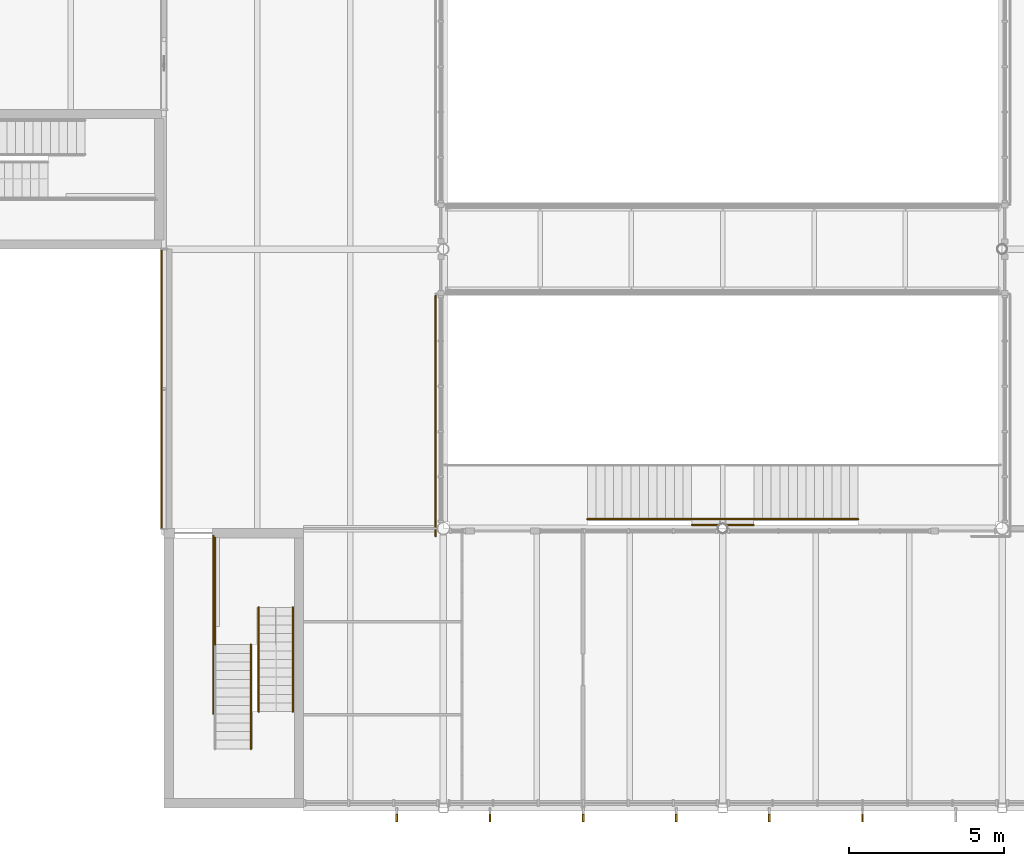
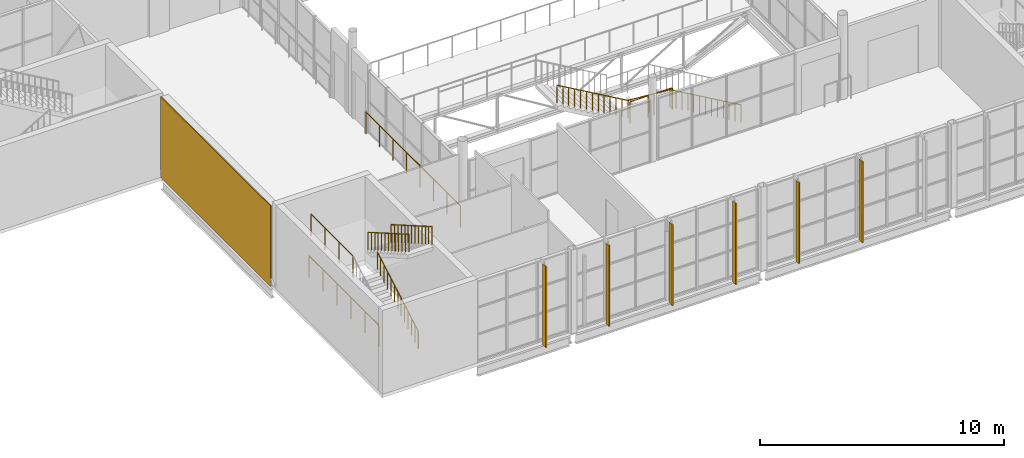
# One storey, part 56 of 61: 9 railings, 6 shading devices, 1 covering.
"""IFC4 building model written with IfcOpenShell, lengths in metres."""

from ifc_helpers import new_model, si_unit, direction, frame, frame_2d, origin, origin_2d, place, context, subcontext, project, spatial, rectangle, circle, extrude, material, layer, layer_set, type_object, element, save


model = new_model("IFC4")

# Units and contexts
model_context = context("Model", 3, precision=1e-05, world=origin(), true_north=direction((0.0, 1.0)))
body_context = subcontext(model_context, "Body", "Model", "MODEL_VIEW")
ifc_project = project(units=[si_unit("LENGTHUNIT", "METRE"), si_unit("AREAUNIT", "SQUARE_METRE"), si_unit("VOLUMEUNIT", "CUBIC_METRE"), si_unit("PLANEANGLEUNIT", "RADIAN"), si_unit("MASSUNIT", "GRAM", prefix="KILO")], contexts=[model_context])

# Site, building, storey
site_placement = place(None, origin())
site = spatial("IfcSite", under=ifc_project, at=site_placement, CompositionType="ELEMENT")
building_placement = place(site_placement, origin())
building = spatial("IfcBuilding", under=site, at=building_placement, Name="Halyard Row Museum", CompositionType="ELEMENT")
storey_placement = place(building_placement, frame((0.0, 0.0, 9.199951171875)))
storey = spatial("IfcBuildingStorey", under=building, at=storey_placement, Name="L02", CompositionType="ELEMENT", Elevation=9.199951171875)

# Railings
ifc_material_1 = material(Name="Steel Grade 300", Category="steel")
railing_type_1 = type_object("IfcRailingType", Name="Guard GR2 steel balustrade 1100", PredefinedType="GUARDRAIL", material=ifc_material_1)
railing_1_placement = place(storey_placement, frame((73.64990234375, 5.260009765625, 2.10009765625)))
element("IfcRailing", 1, at=railing_1_placement, inside=storey, type_object=railing_type_1, Name="Guard GR044", PredefinedType="GUARDRAIL", context=body_context, shape_type="SweptSolid", body=[
    extrude(circle(Radius=0.02392578125, at=origin_2d()), frame((0.0, 0.0, 1.076171875), z_axis=(0.0, 1.0, 0.0), x_axis=(-1.0, 0.0, 0.0)), (0.0, 0.0, 1.0), 3.43994140625),
    extrude(circle(Radius=0.02099609375, at=origin_2d()), origin(), (0.0, 0.0, 1.0), 1.052001953125),
    extrude(circle(Radius=0.02099609375, at=origin_2d()), frame((0.0, 1.146728515625, 0.0)), (0.0, 0.0, 1.0), 1.052001953125),
    extrude(circle(Radius=0.02099609375, at=origin_2d()), frame((0.0, 2.293212890625, 0.0)), (0.0, 0.0, 1.0), 1.052001953125),
    extrude(circle(Radius=0.02099609375, at=origin_2d()), frame((0.0, 3.43994140625, 0.0)), (0.0, 0.0, 1.0), 1.052001953125),
])
for number, where, name in (
    (2, (91.0, 9.1201171875, 2.10009765625), "Guard GR135"),
    (3, (89.861328125, 9.1201171875, 2.10009765625), "Guard GR136"),
):
    element("IfcRailing", number, at=place(storey_placement, frame(where)), inside=storey, type_object=railing_type_1, Name=name, PredefinedType="GUARDRAIL", context=body_context, shape_type="SweptSolid", body=[
        extrude(circle(Radius=0.02392578125, at=origin_2d()), frame((0.0, 0.0, 1.076171875), z_axis=(-1.0, 0.0, 0.0), x_axis=(0.0, -1.0, 0.0)), (0.0, 0.0, 1.0), 0.861328125),
        extrude(circle(Radius=0.02099609375, at=origin_2d()), origin(), (0.0, 0.0, 1.0), 1.052001953125),
        extrude(circle(Radius=0.02099609375, at=origin_2d()), frame((-0.861328125, 0.0, 0.0)), (0.0, 0.0, 1.0), 1.052001953125),
    ])
railing_2_placement = place(storey_placement, frame((73.590087890625, 3.0400390625, 0.0)))
element("IfcRailing", 4, at=railing_2_placement, inside=storey, type_object=railing_type_1, Name="Guard GR157", PredefinedType="GUARDRAIL", context=body_context, shape_type="SweptSolid", body=[
    extrude(circle(Radius=0.02392578125, at=origin_2d()), frame((0.0, 0.0, 1.076171875), z_axis=(0.0, 1.0, 0.0), x_axis=(-1.0, 0.0, 0.0)), (0.0, 0.0, 1.0), 5.719970703125),
    extrude(circle(Radius=0.02099609375, at=origin_2d()), origin(), (0.0, 0.0, 1.0), 1.052001953125),
    extrude(circle(Radius=0.02099609375, at=origin_2d()), frame((0.0, 1.14404296875, 0.0)), (0.0, 0.0, 1.0), 1.052001953125),
    extrude(circle(Radius=0.02099609375, at=origin_2d()), frame((0.0, 2.2880859375, 0.0)), (0.0, 0.0, 1.0), 1.052001953125),
    extrude(circle(Radius=0.02099609375, at=origin_2d()), frame((0.0, 3.431884765625, 0.0)), (0.0, 0.0, 1.0), 1.052001953125),
    extrude(circle(Radius=0.02099609375, at=origin_2d()), frame((0.0, 4.575927734375, 0.0)), (0.0, 0.0, 1.0), 1.052001953125),
    extrude(circle(Radius=0.02099609375, at=origin_2d()), frame((0.0, 5.719970703125, 0.0)), (0.0, 0.0, 1.0), 1.052001953125),
])
railing_3_placement = place(storey_placement, frame((80.75, 8.75, 0.0)))
element("IfcRailing", 5, at=railing_3_placement, inside=storey, type_object=railing_type_1, Name="Guard GR200", PredefinedType="GUARDRAIL", context=body_context, shape_type="SweptSolid", body=[
    extrude(circle(Radius=0.02392578125, at=origin_2d()), frame((0.0, 0.0, 1.076171875), z_axis=(0.0, 1.0, 0.0), x_axis=(-1.0, 0.0, 0.0)), (0.0, 0.0, 1.0), 7.75),
    extrude(circle(Radius=0.02099609375, at=origin_2d()), origin(), (0.0, 0.0, 1.0), 1.052001953125),
    extrude(circle(Radius=0.02099609375, at=origin_2d()), frame((0.0, 1.107177734375, 0.0)), (0.0, 0.0, 1.0), 1.052001953125),
    extrude(circle(Radius=0.02099609375, at=origin_2d()), frame((0.0, 2.21435546875, 0.0)), (0.0, 0.0, 1.0), 1.052001953125),
    extrude(circle(Radius=0.02099609375, at=origin_2d()), frame((0.0, 3.321533203125, 0.0)), (0.0, 0.0, 1.0), 1.052001953125),
    extrude(circle(Radius=0.02099609375, at=origin_2d()), frame((0.0, 4.428466796875, 0.0)), (0.0, 0.0, 1.0), 1.052001953125),
    extrude(circle(Radius=0.02099609375, at=origin_2d()), frame((0.0, 5.53564453125, 0.0)), (0.0, 0.0, 1.0), 1.052001953125),
    extrude(circle(Radius=0.02099609375, at=origin_2d()), frame((0.0, 6.642822265625, 0.0)), (0.0, 0.0, 1.0), 1.052001953125),
    extrude(circle(Radius=0.02099609375, at=origin_2d()), frame((0.0, 7.75, 0.0)), (0.0, 0.0, 1.0), 1.052001953125),
])
ifc_material_2 = material(Name="Steel Grade 300", Category="steel")
railing_type_2 = type_object("IfcRailingType", Name="Handrail HR2 steel 900", PredefinedType="HANDRAIL", material=ifc_material_2)
railing_4_placement = place(storey_placement, frame((74.800048828125, 1.89990234375, 0.16162109375)))
element("IfcRailing", 6, at=railing_4_placement, inside=storey, type_object=railing_type_2, Name="Handrail HR064", PredefinedType="HANDRAIL", context=body_context, shape_type="SweptSolid", body=[
    extrude(circle(Radius=0.02392578125, at=origin_2d()), frame((0.0, 0.0, 0.8759765625), z_axis=(0.0, 0.86609757561, 0.499874973892), x_axis=(-1.0, 0.0, 0.0)), (0.0, 0.0, 1.0), 0.3232421875),
    extrude(circle(Radius=0.02392578125, at=origin_2d()), frame((0.0, 0.280029296875, 1.03759765625), z_axis=(0.0, 0.866424426198, 0.49930823515), x_axis=(-1.0, 0.0, 0.0)), (0.0, 0.0, 1.0), 0.3232421875),
    extrude(circle(Radius=0.02392578125, at=origin_2d()), frame((0.0, 0.56005859375, 1.19873046875), z_axis=(0.0, 0.86609757561, 0.499874973892), x_axis=(-1.0, 0.0, 0.0)), (0.0, 0.0, 1.0), 0.3232421875),
    extrude(circle(Radius=0.02392578125, at=origin_2d()), frame((0.0, 0.840087890625, 1.3603515625), z_axis=(0.0, 0.86609757561, 0.499874973892), x_axis=(-1.0, 0.0, 0.0)), (0.0, 0.0, 1.0), 0.3232421875),
    extrude(circle(Radius=0.02392578125, at=origin_2d()), frame((0.0, 1.1201171875, 1.52197265625), z_axis=(0.0, 0.866424426198, 0.49930823515), x_axis=(-1.0, 0.0, 0.0)), (0.0, 0.0, 1.0), 0.3232421875),
    extrude(circle(Radius=0.02392578125, at=origin_2d()), frame((0.0, 1.400146484375, 1.68359375), z_axis=(0.0, 0.86609757561, 0.499874973892), x_axis=(-1.0, 0.0, 0.0)), (0.0, 0.0, 1.0), 0.3232421875),
    extrude(circle(Radius=0.02392578125, at=origin_2d()), frame((0.0, 1.68017578125, 1.84521484375), z_axis=(0.0, 0.866424426198, 0.49930823515), x_axis=(-1.0, 0.0, 0.0)), (0.0, 0.0, 1.0), 0.3232421875),
    extrude(circle(Radius=0.02392578125, at=origin_2d()), frame((0.0, 1.960205078125, 2.00634765625), z_axis=(0.0, 0.865908710228, 0.500202064721), x_axis=(-1.0, 0.0, 0.0)), (0.0, 0.0, 1.0), 0.322998046875),
    extrude(circle(Radius=0.02392578125, at=origin_2d()), frame((0.0, 2.239990234375, 2.16796875), z_axis=(0.0, 0.86609757561, 0.499874973892), x_axis=(-1.0, 0.0, 0.0)), (0.0, 0.0, 1.0), 0.3232421875),
    extrude(circle(Radius=0.02392578125, at=origin_2d()), frame((0.0, 2.52001953125, 2.32958984375), z_axis=(0.0, 0.866424426198, 0.49930823515), x_axis=(-1.0, 0.0, 0.0)), (0.0, 0.0, 1.0), 0.3232421875),
    extrude(circle(Radius=0.02392578125, at=origin_2d()), frame((0.0, 2.800048828125, 2.4912109375), z_axis=(0.0, 0.86609757561, 0.499874973892), x_axis=(-1.0, 0.0, 0.0)), (0.0, 0.0, 1.0), 0.3232421875),
    extrude(circle(Radius=0.02392578125, at=origin_2d()), frame((0.0, 3.080078125, 2.65283203125), z_axis=(0.0, 0.86609757561, 0.499874973892), x_axis=(-1.0, 0.0, 0.0)), (0.0, 0.0, 1.0), 0.3232421875),
    extrude(circle(Radius=0.02099609375, at=origin_2d()), origin(), (0.0, 0.0, 1.0), 0.851806640625),
    extrude(circle(Radius=0.02099609375, at=origin_2d()), frame((0.0, 0.280029296875, 0.16162109375)), (0.0, 0.0, 1.0), 0.851806640625),
    extrude(circle(Radius=0.02099609375, at=origin_2d()), frame((0.0, 0.56005859375, 0.322998046875)), (0.0, 0.0, 1.0), 0.851806640625),
    extrude(circle(Radius=0.02099609375, at=origin_2d()), frame((0.0, 0.840087890625, 0.484619140625)), (0.0, 0.0, 1.0), 0.851806640625),
    extrude(circle(Radius=0.02099609375, at=origin_2d()), frame((0.0, 1.1201171875, 0.646240234375)), (0.0, 0.0, 1.0), 0.851806640625),
    extrude(circle(Radius=0.02099609375, at=origin_2d()), frame((0.0, 1.400146484375, 0.8076171875)), (0.0, 0.0, 1.0), 0.851806640625),
    extrude(circle(Radius=0.02099609375, at=origin_2d()), frame((0.0, 1.68017578125, 0.96923828125)), (0.0, 0.0, 1.0), 0.851806640625),
    extrude(circle(Radius=0.02099609375, at=origin_2d()), frame((0.0, 1.960205078125, 1.130615234375)), (0.0, 0.0, 1.0), 0.851806640625),
    extrude(circle(Radius=0.02099609375, at=origin_2d()), frame((0.0, 2.239990234375, 1.292236328125)), (0.0, 0.0, 1.0), 0.851806640625),
    extrude(circle(Radius=0.02099609375, at=origin_2d()), frame((0.0, 2.52001953125, 1.453857421875)), (0.0, 0.0, 1.0), 0.851806640625),
    extrude(circle(Radius=0.02099609375, at=origin_2d()), frame((0.0, 2.800048828125, 1.615234375)), (0.0, 0.0, 1.0), 0.851806640625),
    extrude(circle(Radius=0.02099609375, at=origin_2d()), frame((0.0, 3.080078125, 1.77685546875)), (0.0, 0.0, 1.0), 0.851806640625),
    extrude(circle(Radius=0.02099609375, at=origin_2d()), frame((0.0, 3.360107421875, 1.9384765625)), (0.0, 0.0, 1.0), 0.851806640625),
])
railing_5_placement = place(storey_placement, frame((76.14990234375, 6.4599609375, 2.261474609375)))
element("IfcRailing", 7, at=railing_5_placement, inside=storey, type_object=railing_type_2, Name="Handrail HR065", PredefinedType="HANDRAIL", context=body_context, shape_type="SweptSolid", body=[
    extrude(circle(Radius=0.02392578125, at=origin_2d()), frame((0.0, 0.0, 0.8759765625), z_axis=(0.0, -0.86609757561, 0.499874973892), x_axis=(1.0, 0.0, 0.0)), (0.0, 0.0, 1.0), 0.3232421875),
    extrude(circle(Radius=0.02392578125, at=origin_2d()), frame((0.0, -0.280029296875, 1.03759765625), z_axis=(0.0, -0.86609757561, 0.499874973892), x_axis=(1.0, 0.0, 0.0)), (0.0, 0.0, 1.0), 0.3232421875),
    extrude(circle(Radius=0.02392578125, at=origin_2d()), frame((0.0, -0.56005859375, 1.19921875), z_axis=(0.0, -0.866235917577, 0.499635202023), x_axis=(1.0, 0.0, 0.0)), (0.0, 0.0, 1.0), 0.322998046875),
    extrude(circle(Radius=0.02392578125, at=origin_2d()), frame((0.0, -0.83984375, 1.3603515625), z_axis=(0.0, -0.86609757561, 0.499874973892), x_axis=(1.0, 0.0, 0.0)), (0.0, 0.0, 1.0), 0.3232421875),
    extrude(circle(Radius=0.02392578125, at=origin_2d()), frame((0.0, -1.119873046875, 1.52197265625), z_axis=(0.0, -0.86609757561, 0.499874973892), x_axis=(1.0, 0.0, 0.0)), (0.0, 0.0, 1.0), 0.3232421875),
    extrude(circle(Radius=0.02392578125, at=origin_2d()), frame((0.0, -1.39990234375, 1.68359375), z_axis=(0.0, -0.866424426198, 0.49930823515), x_axis=(1.0, 0.0, 0.0)), (0.0, 0.0, 1.0), 0.3232421875),
    extrude(circle(Radius=0.02392578125, at=origin_2d()), frame((0.0, -1.679931640625, 1.84521484375), z_axis=(0.0, -0.86609757561, 0.499874973892), x_axis=(1.0, 0.0, 0.0)), (0.0, 0.0, 1.0), 0.3232421875),
    extrude(circle(Radius=0.02392578125, at=origin_2d()), frame((0.0, -1.9599609375, 2.0068359375), z_axis=(0.0, -0.86609757561, 0.499874973892), x_axis=(1.0, 0.0, 0.0)), (0.0, 0.0, 1.0), 0.3232421875),
    extrude(circle(Radius=0.02392578125, at=origin_2d()), frame((0.0, -2.239990234375, 2.16845703125), z_axis=(0.0, -0.866424426198, 0.49930823515), x_axis=(1.0, 0.0, 0.0)), (0.0, 0.0, 1.0), 0.3232421875),
    extrude(circle(Radius=0.02392578125, at=origin_2d()), frame((0.0, -2.52001953125, 2.32958984375), z_axis=(0.0, -0.86609757561, 0.499874973892), x_axis=(1.0, 0.0, 0.0)), (0.0, 0.0, 1.0), 0.3232421875),
    extrude(circle(Radius=0.02392578125, at=origin_2d()), frame((0.0, -2.800048828125, 2.4912109375), z_axis=(0.0, -0.86609757561, 0.499874973892), x_axis=(1.0, 0.0, 0.0)), (0.0, 0.0, 1.0), 0.3232421875),
    extrude(circle(Radius=0.02392578125, at=origin_2d()), frame((0.0, -3.080078125, 2.65283203125), z_axis=(0.0, -0.866235917577, 0.499635202023), x_axis=(1.0, 0.0, 0.0)), (0.0, 0.0, 1.0), 0.322998046875),
    extrude(circle(Radius=0.02099609375, at=origin_2d()), origin(), (0.0, 0.0, 1.0), 0.851806640625),
    extrude(circle(Radius=0.02099609375, at=origin_2d()), frame((0.0, -0.280029296875, 0.16162109375)), (0.0, 0.0, 1.0), 0.851806640625),
    extrude(circle(Radius=0.02099609375, at=origin_2d()), frame((0.0, -0.56005859375, 0.3232421875)), (0.0, 0.0, 1.0), 0.851806640625),
    extrude(circle(Radius=0.02099609375, at=origin_2d()), frame((0.0, -0.83984375, 0.484619140625)), (0.0, 0.0, 1.0), 0.851806640625),
    extrude(circle(Radius=0.02099609375, at=origin_2d()), frame((0.0, -1.119873046875, 0.646240234375)), (0.0, 0.0, 1.0), 0.851806640625),
    extrude(circle(Radius=0.02099609375, at=origin_2d()), frame((0.0, -1.39990234375, 0.807861328125)), (0.0, 0.0, 1.0), 0.851806640625),
    extrude(circle(Radius=0.02099609375, at=origin_2d()), frame((0.0, -1.679931640625, 0.96923828125)), (0.0, 0.0, 1.0), 0.851806640625),
    extrude(circle(Radius=0.02099609375, at=origin_2d()), frame((0.0, -1.9599609375, 1.130859375)), (0.0, 0.0, 1.0), 0.851806640625),
    extrude(circle(Radius=0.02099609375, at=origin_2d()), frame((0.0, -2.239990234375, 1.29248046875)), (0.0, 0.0, 1.0), 0.851806640625),
    extrude(circle(Radius=0.02099609375, at=origin_2d()), frame((0.0, -2.52001953125, 1.453857421875)), (0.0, 0.0, 1.0), 0.851806640625),
    extrude(circle(Radius=0.02099609375, at=origin_2d()), frame((0.0, -2.800048828125, 1.615478515625)), (0.0, 0.0, 1.0), 0.851806640625),
    extrude(circle(Radius=0.02099609375, at=origin_2d()), frame((0.0, -3.080078125, 1.777099609375)), (0.0, 0.0, 1.0), 0.851806640625),
    extrude(circle(Radius=0.02099609375, at=origin_2d()), frame((0.0, -3.35986328125, 1.9384765625)), (0.0, 0.0, 1.0), 0.851806640625),
])
railing_6_placement = place(storey_placement, frame((75.050048828125, 6.4599609375, 2.261474609375)))
element("IfcRailing", 8, at=railing_6_placement, inside=storey, type_object=railing_type_2, Name="Handrail HR066", PredefinedType="HANDRAIL", context=body_context, shape_type="SweptSolid", body=[
    extrude(circle(Radius=0.02392578125, at=origin_2d()), frame((0.0, 0.0, 0.8759765625), z_axis=(0.0, -0.86609757561, 0.499874973892), x_axis=(1.0, 0.0, 0.0)), (0.0, 0.0, 1.0), 0.3232421875),
    extrude(circle(Radius=0.02392578125, at=origin_2d()), frame((0.0, -0.280029296875, 1.03759765625), z_axis=(0.0, -0.86609757561, 0.499874973892), x_axis=(1.0, 0.0, 0.0)), (0.0, 0.0, 1.0), 0.3232421875),
    extrude(circle(Radius=0.02392578125, at=origin_2d()), frame((0.0, -0.56005859375, 1.19921875), z_axis=(0.0, -0.866235917577, 0.499635202023), x_axis=(1.0, 0.0, 0.0)), (0.0, 0.0, 1.0), 0.322998046875),
    extrude(circle(Radius=0.02392578125, at=origin_2d()), frame((0.0, -0.83984375, 1.3603515625), z_axis=(0.0, -0.86609757561, 0.499874973892), x_axis=(1.0, 0.0, 0.0)), (0.0, 0.0, 1.0), 0.3232421875),
    extrude(circle(Radius=0.02392578125, at=origin_2d()), frame((0.0, -1.119873046875, 1.52197265625), z_axis=(0.0, -0.86609757561, 0.499874973892), x_axis=(1.0, 0.0, 0.0)), (0.0, 0.0, 1.0), 0.3232421875),
    extrude(circle(Radius=0.02392578125, at=origin_2d()), frame((0.0, -1.39990234375, 1.68359375), z_axis=(0.0, -0.866424426198, 0.49930823515), x_axis=(1.0, 0.0, 0.0)), (0.0, 0.0, 1.0), 0.3232421875),
    extrude(circle(Radius=0.02392578125, at=origin_2d()), frame((0.0, -1.679931640625, 1.84521484375), z_axis=(0.0, -0.86609757561, 0.499874973892), x_axis=(1.0, 0.0, 0.0)), (0.0, 0.0, 1.0), 0.3232421875),
    extrude(circle(Radius=0.02392578125, at=origin_2d()), frame((0.0, -1.9599609375, 2.0068359375), z_axis=(0.0, -0.86609757561, 0.499874973892), x_axis=(1.0, 0.0, 0.0)), (0.0, 0.0, 1.0), 0.3232421875),
    extrude(circle(Radius=0.02392578125, at=origin_2d()), frame((0.0, -2.239990234375, 2.16845703125), z_axis=(0.0, -0.866424426198, 0.49930823515), x_axis=(1.0, 0.0, 0.0)), (0.0, 0.0, 1.0), 0.3232421875),
    extrude(circle(Radius=0.02392578125, at=origin_2d()), frame((0.0, -2.52001953125, 2.32958984375), z_axis=(0.0, -0.86609757561, 0.499874973892), x_axis=(1.0, 0.0, 0.0)), (0.0, 0.0, 1.0), 0.3232421875),
    extrude(circle(Radius=0.02392578125, at=origin_2d()), frame((0.0, -2.800048828125, 2.4912109375), z_axis=(0.0, -0.86609757561, 0.499874973892), x_axis=(1.0, 0.0, 0.0)), (0.0, 0.0, 1.0), 0.3232421875),
    extrude(circle(Radius=0.02392578125, at=origin_2d()), frame((0.0, -3.080078125, 2.65283203125), z_axis=(0.0, -0.866235917577, 0.499635202023), x_axis=(1.0, 0.0, 0.0)), (0.0, 0.0, 1.0), 0.322998046875),
    extrude(circle(Radius=0.02099609375, at=origin_2d()), origin(), (0.0, 0.0, 1.0), 0.851806640625),
    extrude(circle(Radius=0.02099609375, at=origin_2d()), frame((0.0, -0.280029296875, 0.16162109375)), (0.0, 0.0, 1.0), 0.851806640625),
    extrude(circle(Radius=0.02099609375, at=origin_2d()), frame((0.0, -0.56005859375, 0.3232421875)), (0.0, 0.0, 1.0), 0.851806640625),
    extrude(circle(Radius=0.02099609375, at=origin_2d()), frame((0.0, -0.83984375, 0.484619140625)), (0.0, 0.0, 1.0), 0.851806640625),
    extrude(circle(Radius=0.02099609375, at=origin_2d()), frame((0.0, -1.119873046875, 0.646240234375)), (0.0, 0.0, 1.0), 0.851806640625),
    extrude(circle(Radius=0.02099609375, at=origin_2d()), frame((0.0, -1.39990234375, 0.807861328125)), (0.0, 0.0, 1.0), 0.851806640625),
    extrude(circle(Radius=0.02099609375, at=origin_2d()), frame((0.0, -1.679931640625, 0.96923828125)), (0.0, 0.0, 1.0), 0.851806640625),
    extrude(circle(Radius=0.02099609375, at=origin_2d()), frame((0.0, -1.9599609375, 1.130859375)), (0.0, 0.0, 1.0), 0.851806640625),
    extrude(circle(Radius=0.02099609375, at=origin_2d()), frame((0.0, -2.239990234375, 1.29248046875)), (0.0, 0.0, 1.0), 0.851806640625),
    extrude(circle(Radius=0.02099609375, at=origin_2d()), frame((0.0, -2.52001953125, 1.453857421875)), (0.0, 0.0, 1.0), 0.851806640625),
    extrude(circle(Radius=0.02099609375, at=origin_2d()), frame((0.0, -2.800048828125, 1.615478515625)), (0.0, 0.0, 1.0), 0.851806640625),
    extrude(circle(Radius=0.02099609375, at=origin_2d()), frame((0.0, -3.080078125, 1.777099609375)), (0.0, 0.0, 1.0), 0.851806640625),
    extrude(circle(Radius=0.02099609375, at=origin_2d()), frame((0.0, -3.35986328125, 1.9384765625)), (0.0, 0.0, 1.0), 0.851806640625),
])
railing_7_placement = place(storey_placement, frame((94.360107421875, 9.300048828125, 0.16162109375)))
element("IfcRailing", 9, at=railing_7_placement, inside=storey, type_object=railing_type_2, Name="Handrail HR153", PredefinedType="HANDRAIL", context=body_context, shape_type="SweptSolid", body=[
    extrude(circle(Radius=0.02392578125, at=origin_2d()), frame((0.0, 0.0, 0.8759765625), z_axis=(-0.86609757561, 0.0, 0.499874973892), x_axis=(0.0, -1.0, 0.0)), (0.0, 0.0, 1.0), 0.3232421875),
    extrude(circle(Radius=0.02392578125, at=origin_2d()), frame((-0.280029296875, 0.0, 1.03759765625), z_axis=(-0.866424426198, 0.0, 0.49930823515), x_axis=(0.0, -1.0, 0.0)), (0.0, 0.0, 1.0), 0.3232421875),
    extrude(circle(Radius=0.02392578125, at=origin_2d()), frame((-0.56005859375, 0.0, 1.19873046875), z_axis=(-0.86609757561, 0.0, 0.499874973892), x_axis=(0.0, -1.0, 0.0)), (0.0, 0.0, 1.0), 0.3232421875),
    extrude(circle(Radius=0.02392578125, at=origin_2d()), frame((-0.840087890625, 0.0, 1.3603515625), z_axis=(-0.86609757561, 0.0, 0.499874973892), x_axis=(0.0, -1.0, 0.0)), (0.0, 0.0, 1.0), 0.3232421875),
    extrude(circle(Radius=0.02392578125, at=origin_2d()), frame((-1.1201171875, 0.0, 1.52197265625), z_axis=(-0.866424426198, 0.0, 0.49930823515), x_axis=(0.0, -1.0, 0.0)), (0.0, 0.0, 1.0), 0.3232421875),
    extrude(circle(Radius=0.02392578125, at=origin_2d()), frame((-1.400146484375, 0.0, 1.68359375), z_axis=(-0.86609757561, 0.0, 0.499874973892), x_axis=(0.0, -1.0, 0.0)), (0.0, 0.0, 1.0), 0.3232421875),
    extrude(circle(Radius=0.02392578125, at=origin_2d()), frame((-1.68017578125, 0.0, 1.84521484375), z_axis=(-0.866424426198, 0.0, 0.49930823515), x_axis=(0.0, -1.0, 0.0)), (0.0, 0.0, 1.0), 0.3232421875),
    extrude(circle(Radius=0.02392578125, at=origin_2d()), frame((-1.960205078125, 0.0, 2.00634765625), z_axis=(-0.865908710228, 0.0, 0.500202064721), x_axis=(0.0, -1.0, 0.0)), (0.0, 0.0, 1.0), 0.322998046875),
    extrude(circle(Radius=0.02392578125, at=origin_2d()), frame((-2.239990234375, 0.0, 2.16796875), z_axis=(-0.86609757561, 0.0, 0.499874973892), x_axis=(0.0, -1.0, 0.0)), (0.0, 0.0, 1.0), 0.3232421875),
    extrude(circle(Radius=0.02392578125, at=origin_2d()), frame((-2.52001953125, 0.0, 2.32958984375), z_axis=(-0.866424426198, 0.0, 0.49930823515), x_axis=(0.0, -1.0, 0.0)), (0.0, 0.0, 1.0), 0.3232421875),
    extrude(circle(Radius=0.02392578125, at=origin_2d()), frame((-2.800048828125, 0.0, 2.4912109375), z_axis=(-0.86609757561, 0.0, 0.499874973892), x_axis=(0.0, -1.0, 0.0)), (0.0, 0.0, 1.0), 0.3232421875),
    extrude(circle(Radius=0.02392578125, at=origin_2d()), frame((-3.080078125, 0.0, 2.65283203125), z_axis=(-0.86609757561, 0.0, 0.499874973892), x_axis=(0.0, -1.0, 0.0)), (0.0, 0.0, 1.0), 0.3232421875),
    extrude(circle(Radius=0.02392578125, at=origin_2d()), frame((-3.360107421875, 0.0, 2.814453125), z_axis=(-0.996760494736, 0.0, 0.080427085818), x_axis=(0.0, -1.0, 0.0)), (0.0, 0.0, 1.0), 2.006591796875),
    extrude(circle(Radius=0.02392578125, at=origin_2d()), frame((-5.360107421875, 0.0, 2.9755859375), z_axis=(-0.86609757561, 0.0, 0.499874973892), x_axis=(0.0, -1.0, 0.0)), (0.0, 0.0, 1.0), 0.3232421875),
    extrude(circle(Radius=0.02392578125, at=origin_2d()), frame((-5.64013671875, 0.0, 3.13720703125), z_axis=(-0.86609757561, 0.0, 0.499874973892), x_axis=(0.0, -1.0, 0.0)), (0.0, 0.0, 1.0), 0.3232421875),
    extrude(circle(Radius=0.02392578125, at=origin_2d()), frame((-5.920166015625, 0.0, 3.298828125), z_axis=(-0.866424426198, 0.0, 0.49930823515), x_axis=(0.0, -1.0, 0.0)), (0.0, 0.0, 1.0), 0.3232421875),
    extrude(circle(Radius=0.02392578125, at=origin_2d()), frame((-6.2001953125, 0.0, 3.46044921875), z_axis=(-0.86609757561, 0.0, 0.499874973892), x_axis=(0.0, -1.0, 0.0)), (0.0, 0.0, 1.0), 0.3232421875),
    extrude(circle(Radius=0.02392578125, at=origin_2d()), frame((-6.480224609375, 0.0, 3.6220703125), z_axis=(-0.865908710228, 0.0, 0.500202064721), x_axis=(0.0, -1.0, 0.0)), (0.0, 0.0, 1.0), 0.322998046875),
    extrude(circle(Radius=0.02392578125, at=origin_2d()), frame((-6.760009765625, 0.0, 3.78369140625), z_axis=(-0.866424426198, 0.0, 0.49930823515), x_axis=(0.0, -1.0, 0.0)), (0.0, 0.0, 1.0), 0.3232421875),
    extrude(circle(Radius=0.02392578125, at=origin_2d()), frame((-7.0400390625, 0.0, 3.94482421875), z_axis=(-0.86609757561, 0.0, 0.499874973892), x_axis=(0.0, -1.0, 0.0)), (0.0, 0.0, 1.0), 0.3232421875),
    extrude(circle(Radius=0.02392578125, at=origin_2d()), frame((-7.320068359375, 0.0, 4.1064453125), z_axis=(-0.86609757561, 0.0, 0.499874973892), x_axis=(0.0, -1.0, 0.0)), (0.0, 0.0, 1.0), 0.3232421875),
    extrude(circle(Radius=0.02392578125, at=origin_2d()), frame((-7.60009765625, 0.0, 4.26806640625), z_axis=(-0.866424426198, 0.0, 0.49930823515), x_axis=(0.0, -1.0, 0.0)), (0.0, 0.0, 1.0), 0.3232421875),
    extrude(circle(Radius=0.02392578125, at=origin_2d()), frame((-7.880126953125, 0.0, 4.4296875), z_axis=(-0.86609757561, 0.0, 0.499874973892), x_axis=(0.0, -1.0, 0.0)), (0.0, 0.0, 1.0), 0.3232421875),
    extrude(circle(Radius=0.02392578125, at=origin_2d()), frame((-8.16015625, 0.0, 4.59130859375), z_axis=(-0.86609757561, 0.0, 0.499874973892), x_axis=(0.0, -1.0, 0.0)), (0.0, 0.0, 1.0), 0.3232421875),
    extrude(circle(Radius=0.02392578125, at=origin_2d()), frame((-8.440185546875, 0.0, 4.7529296875), z_axis=(-0.866424426198, 0.0, 0.49930823515), x_axis=(0.0, -1.0, 0.0)), (0.0, 0.0, 1.0), 0.3232421875),
    extrude(circle(Radius=0.02099609375, at=origin_2d()), origin(), (0.0, 0.0, 1.0), 0.851806640625),
    extrude(circle(Radius=0.02099609375, at=origin_2d()), frame((-0.280029296875, 0.0, 0.16162109375)), (0.0, 0.0, 1.0), 0.851806640625),
    extrude(circle(Radius=0.02099609375, at=origin_2d()), frame((-0.56005859375, 0.0, 0.322998046875)), (0.0, 0.0, 1.0), 0.851806640625),
    extrude(circle(Radius=0.02099609375, at=origin_2d()), frame((-0.840087890625, 0.0, 0.484619140625)), (0.0, 0.0, 1.0), 0.851806640625),
    extrude(circle(Radius=0.02099609375, at=origin_2d()), frame((-1.1201171875, 0.0, 0.646240234375)), (0.0, 0.0, 1.0), 0.851806640625),
    extrude(circle(Radius=0.02099609375, at=origin_2d()), frame((-1.400146484375, 0.0, 0.8076171875)), (0.0, 0.0, 1.0), 0.851806640625),
    extrude(circle(Radius=0.02099609375, at=origin_2d()), frame((-1.68017578125, 0.0, 0.96923828125)), (0.0, 0.0, 1.0), 0.851806640625),
    extrude(circle(Radius=0.02099609375, at=origin_2d()), frame((-1.960205078125, 0.0, 1.130615234375)), (0.0, 0.0, 1.0), 0.851806640625),
    extrude(circle(Radius=0.02099609375, at=origin_2d()), frame((-2.239990234375, 0.0, 1.292236328125)), (0.0, 0.0, 1.0), 0.851806640625),
    extrude(circle(Radius=0.02099609375, at=origin_2d()), frame((-2.52001953125, 0.0, 1.453857421875)), (0.0, 0.0, 1.0), 0.851806640625),
    extrude(circle(Radius=0.02099609375, at=origin_2d()), frame((-2.800048828125, 0.0, 1.615234375)), (0.0, 0.0, 1.0), 0.851806640625),
    extrude(circle(Radius=0.02099609375, at=origin_2d()), frame((-3.080078125, 0.0, 1.77685546875)), (0.0, 0.0, 1.0), 0.851806640625),
    extrude(circle(Radius=0.02099609375, at=origin_2d()), frame((-3.360107421875, 0.0, 1.9384765625)), (0.0, 0.0, 1.0), 0.851806640625),
    extrude(circle(Radius=0.02099609375, at=origin_2d()), frame((-4.360107421875, 0.0, 2.01904296875)), (0.0, 0.0, 1.0), 0.851806640625),
    extrude(circle(Radius=0.02099609375, at=origin_2d()), frame((-5.360107421875, 0.0, 2.099853515625)), (0.0, 0.0, 1.0), 0.851806640625),
    extrude(circle(Radius=0.02099609375, at=origin_2d()), frame((-5.64013671875, 0.0, 2.261474609375)), (0.0, 0.0, 1.0), 0.851806640625),
    extrude(circle(Radius=0.02099609375, at=origin_2d()), frame((-5.920166015625, 0.0, 2.423095703125)), (0.0, 0.0, 1.0), 0.851806640625),
    extrude(circle(Radius=0.02099609375, at=origin_2d()), frame((-6.2001953125, 0.0, 2.58447265625)), (0.0, 0.0, 1.0), 0.851806640625),
    extrude(circle(Radius=0.02099609375, at=origin_2d()), frame((-6.480224609375, 0.0, 2.74609375)), (0.0, 0.0, 1.0), 0.851806640625),
    extrude(circle(Radius=0.02099609375, at=origin_2d()), frame((-6.760009765625, 0.0, 2.90771484375)), (0.0, 0.0, 1.0), 0.851806640625),
    extrude(circle(Radius=0.02099609375, at=origin_2d()), frame((-7.0400390625, 0.0, 3.069091796875)), (0.0, 0.0, 1.0), 0.851806640625),
    extrude(circle(Radius=0.02099609375, at=origin_2d()), frame((-7.320068359375, 0.0, 3.230712890625)), (0.0, 0.0, 1.0), 0.851806640625),
    extrude(circle(Radius=0.02099609375, at=origin_2d()), frame((-7.60009765625, 0.0, 3.392333984375)), (0.0, 0.0, 1.0), 0.851806640625),
    extrude(circle(Radius=0.02099609375, at=origin_2d()), frame((-7.880126953125, 0.0, 3.5537109375)), (0.0, 0.0, 1.0), 0.851806640625),
    extrude(circle(Radius=0.02099609375, at=origin_2d()), frame((-8.16015625, 0.0, 3.71533203125)), (0.0, 0.0, 1.0), 0.851806640625),
    extrude(circle(Radius=0.02099609375, at=origin_2d()), frame((-8.440185546875, 0.0, 3.876953125)), (0.0, 0.0, 1.0), 0.851806640625),
    extrude(circle(Radius=0.02099609375, at=origin_2d()), frame((-8.72021484375, 0.0, 4.038330078125)), (0.0, 0.0, 1.0), 0.851806640625),
])

# Covering
ifc_material_3 = material(Name="Fire-retardant Type A timber battens", Category="wood")
ifc_layer = layer(ifc_material_3, 0.050048828125)
ifc_layer_set = layer_set([ifc_layer], Name="Fire-retardant Type A timber battens")
covering_type = type_object("IfcCoveringType", Name="Timber batten cladding 50", PredefinedType="CLADDING", material=ifc_layer_set)
covering_placement = place(storey_placement, frame((71.9150390625, 18.0, 0.0), z_axis=(0.0, 0.0, 1.0), x_axis=(0.0, -1.0, 0.0)))
element("IfcCovering", 10, at=covering_placement, inside=storey, type_object=covering_type, Name="Cladding CLL02-030", PredefinedType="CLADDING", context=body_context, shape_type="SweptSolid", body=[
    extrude(rectangle(XDim=9.0, YDim=0.050048828125, at=frame_2d((4.5, 0.0))), origin(), (0.0, 0.0, 1.0), 4.03515625),
])

# Shading devices
ifc_material_4 = material(Name="Glue-laminated timber GL12, oiled", Category="wood")
shading_device_type = type_object("IfcShadingDeviceType", Name="Timber fin 60 x 250", PredefinedType="USERDEFINED", material=ifc_material_4)
for number, where, z_axis, x_axis, name in (
    (11, (79.5, -0.324951171875, 0.0), (0.0, 0.0, 1.0), (1.0, 0.0, 0.0), "Timber fin"),
    (12, (82.5, -0.324951171875, 0.0), (0.0, 0.0, 1.0), (1.0, 0.0, 0.0), "Timber fin"),
    (13, (85.5, -0.324951171875, 0.0), (0.0, 0.0, 1.0), (1.0, 0.0, 0.0), "Timber fin"),
    (14, (88.5, -0.324951171875, 0.0), (0.0, 0.0, 1.0), (1.0, 0.0, 0.0), "Timber fin"),
    (15, (91.5, -0.324951171875, 0.0), (0.0, 0.0, 1.0), (1.0, 0.0, 0.0), "Timber fin"),
    (16, (94.5, -0.324951171875, 0.0), (0.0, 0.0, 1.0), (1.0, 0.0, 0.0), "Timber fin"),
):
    element("IfcShadingDevice", number, at=place(storey_placement, frame(where, z_axis=z_axis, x_axis=x_axis)), inside=storey, type_object=shading_device_type, Name=name, ObjectType="FIN", PredefinedType="USERDEFINED", context=body_context, shape_type="SweptSolid", body=[
        extrude(rectangle(XDim=0.06005859375, YDim=0.25, at=origin_2d()), origin(), (0.0, 0.0, 1.0), 4.050048828125),
    ])

save(model, "model.ifc")
